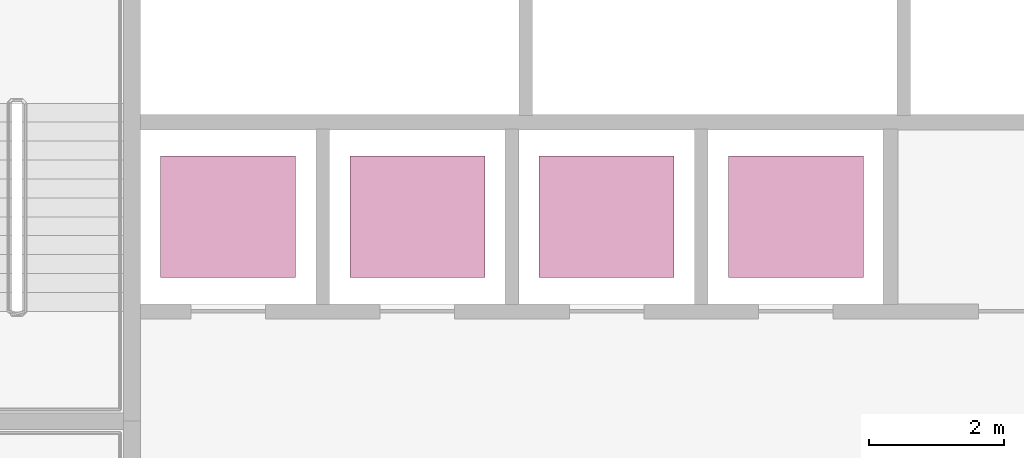
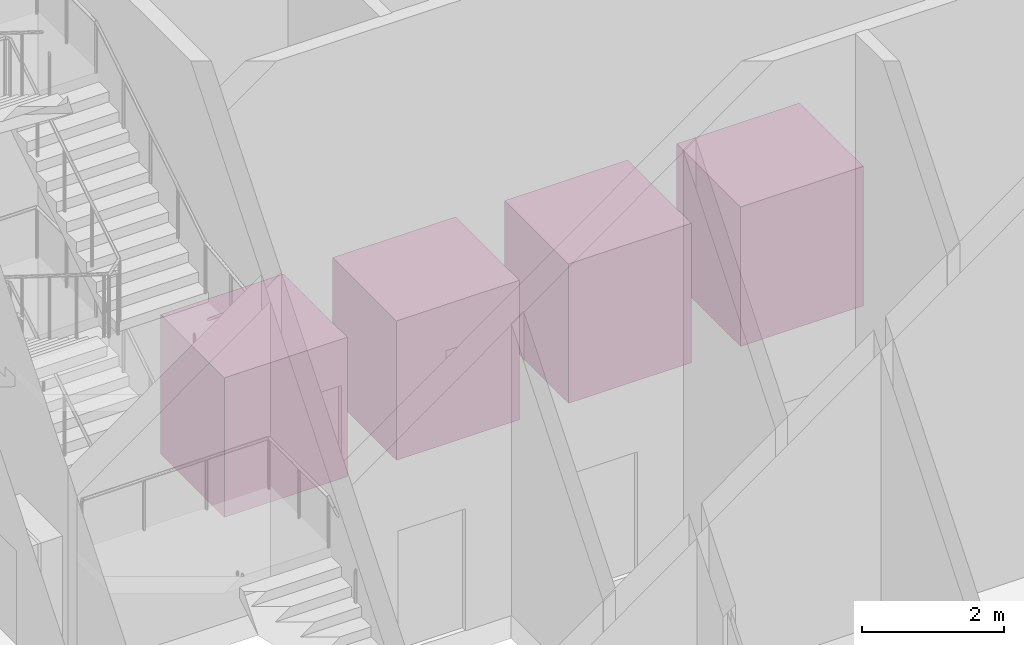
# One storey, part 24 of 24: 4 transport elements.
"""IFC4 building model written with IfcOpenShell, lengths in metres."""

from ifc_helpers import new_model, si_unit, direction, frame, origin, origin_2d, place, context, subcontext, project, spatial, rectangle, extrude, material, type_object, element, save


model = new_model("IFC4")

# Units and contexts
model_context = context("Model", 3, precision=1e-05, world=origin(), true_north=direction((0.0, 1.0)))
body_context = subcontext(model_context, "Body", "Model", "MODEL_VIEW")
ifc_project = project(units=[si_unit("LENGTHUNIT", "METRE"), si_unit("AREAUNIT", "SQUARE_METRE"), si_unit("VOLUMEUNIT", "CUBIC_METRE"), si_unit("PLANEANGLEUNIT", "RADIAN"), si_unit("MASSUNIT", "GRAM", prefix="KILO")], contexts=[model_context])

# Site, building, storey
site_placement = place(None, origin())
site = spatial("IfcSite", under=ifc_project, at=site_placement, CompositionType="ELEMENT")
building_placement = place(site_placement, origin())
building = spatial("IfcBuilding", under=site, at=building_placement, Name="Welwitschia Terrace Campus", CompositionType="ELEMENT")
storey_placement = place(building_placement, frame((0.0, 0.0, 138.199951171875)))
storey = spatial("IfcBuildingStorey", under=building, at=storey_placement, Name="L31", CompositionType="ELEMENT", Elevation=138.199951171875)

# Transport elements
ifc_material = material(Name="Stainless steel 304", Category="steel")
transport_element_type = type_object("IfcTransportElementType", Name="Lift car HR 1800 kg", PredefinedType="ELEVATOR", material=ifc_material)
for number, where, z_axis, x_axis, name in (
    (1, (10.699951171875, 21.39990234375, 0.0), (0.0, 0.0, 1.0), (1.0, 0.0, 0.0), "Lift HR1"),
    (2, (13.5, 21.39990234375, 0.0), (0.0, 0.0, 1.0), (1.0, 0.0, 0.0), "Lift HR2"),
    (3, (16.300048828125, 21.39990234375, 0.0), (0.0, 0.0, 1.0), (1.0, 0.0, 0.0), "Lift HR3"),
    (4, (19.10009765625, 21.39990234375, 0.0), (0.0, 0.0, 1.0), (1.0, 0.0, 0.0), "Lift HR4"),
):
    element("IfcTransportElement", number, at=place(storey_placement, frame(where, z_axis=z_axis, x_axis=x_axis)), inside=storey, type_object=transport_element_type, Name=name, PredefinedType="ELEVATOR", context=body_context, shape_type="SweptSolid", body=[
        extrude(rectangle(XDim=2.0, YDim=1.800048828125, at=origin_2d()), origin(), (0.0, 0.0, 1.0), 2.39990234375),
    ])

save(model, "model.ifc")
